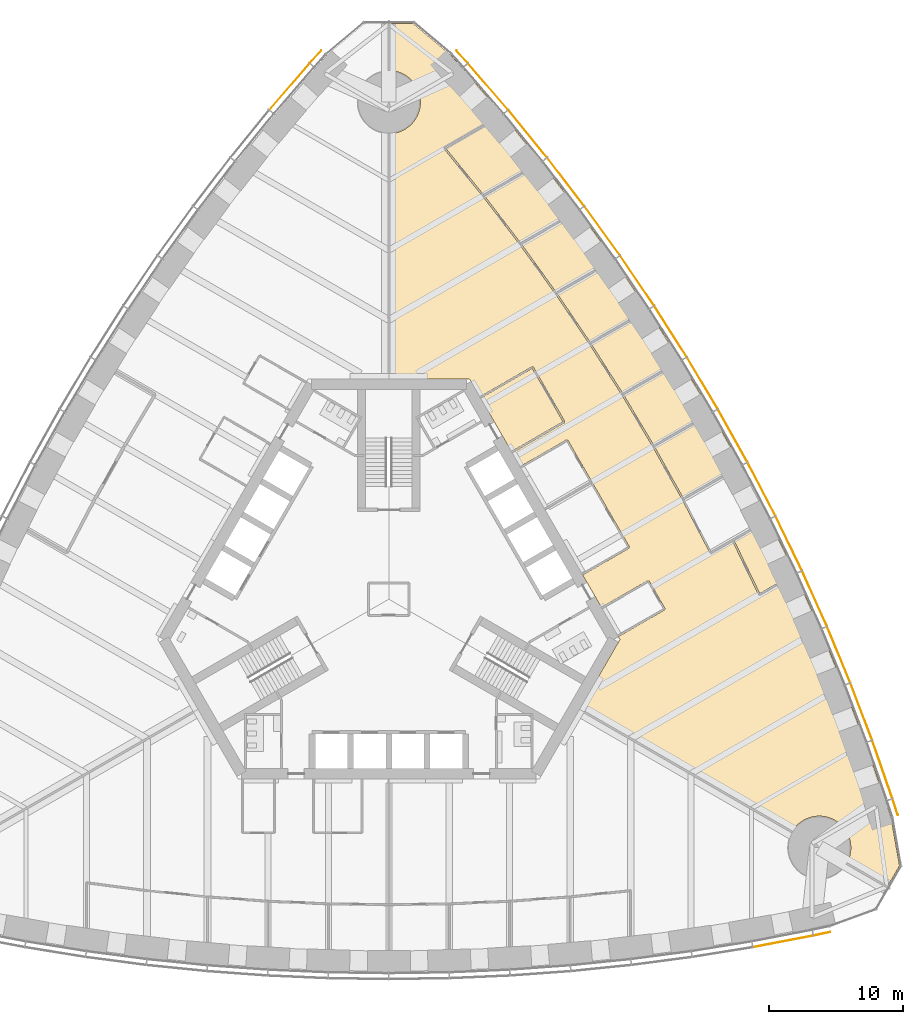
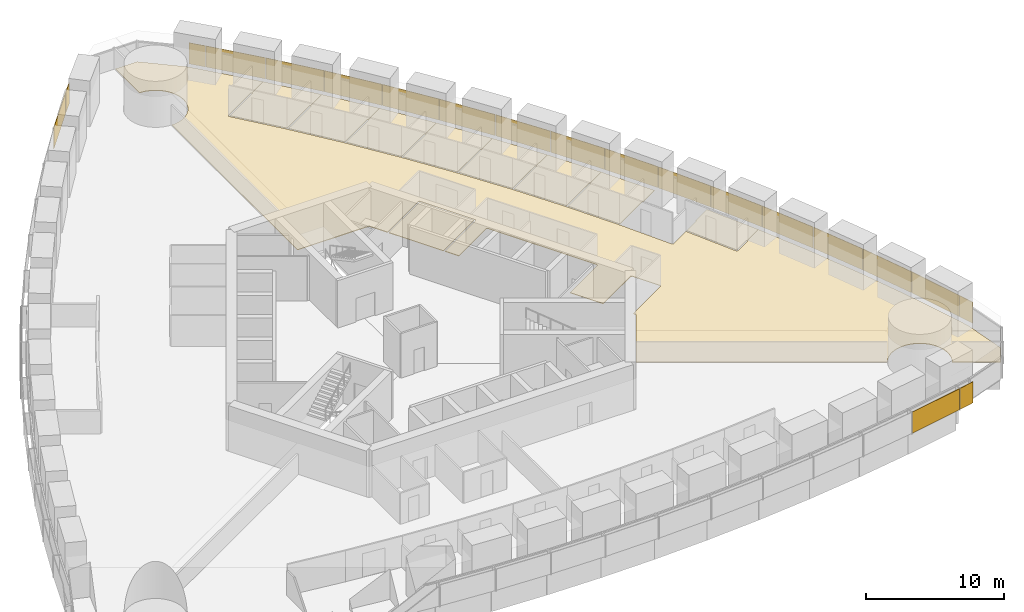
# One storey, part 16 of 18: 20 shading devices, 10 coverings.
"""IFC4 building model written with IfcOpenShell, lengths in metres."""

from ifc_helpers import new_model, si_unit, direction, frame, origin, origin_2d, place, context, subcontext, project, spatial, polyline, rectangle, outline, extrude, material, layer, layer_set, type_object, element, save


model = new_model("IFC4")

# Units and contexts
model_context = context("Model", 3, precision=1e-05, world=origin(), true_north=direction((0.0, 1.0)))
body_context = subcontext(model_context, "Body", "Model", "MODEL_VIEW")
ifc_project = project(units=[si_unit("LENGTHUNIT", "METRE"), si_unit("AREAUNIT", "SQUARE_METRE"), si_unit("VOLUMEUNIT", "CUBIC_METRE"), si_unit("PLANEANGLEUNIT", "RADIAN"), si_unit("MASSUNIT", "GRAM", prefix="KILO")], contexts=[model_context])

# Site, building, storey
site_placement = place(None, origin())
site = spatial("IfcSite", under=ifc_project, at=site_placement, CompositionType="ELEMENT")
building_placement = place(site_placement, origin())
building = spatial("IfcBuilding", under=site, at=building_placement, Name="Trefoil Bronze Tower", CompositionType="ELEMENT")
storey_placement = place(building_placement, frame((0.0, 0.0, 87.89990234375)))
storey = spatial("IfcBuildingStorey", under=building, at=storey_placement, Name="L20", CompositionType="ELEMENT", Elevation=87.89990234375)

# Shading devices
ifc_material_1 = material(Name="Perforated bronze sheet", Category="bronze")
ifc_layer_1 = layer(ifc_material_1, 0.0400390625)
ifc_layer_set_1 = layer_set([ifc_layer_1], Name="Bronze solar screen panel")
shading_device_type = type_object("IfcShadingDeviceType", Name="Bronze solar screen panel", PredefinedType="SHUTTER", material=ifc_layer_set_1)
shading_device_1_placement = place(storey_placement, frame((29.351806640625, -25.478515625, 0.050048828125), z_axis=(0.0, 0.0, 1.0), x_axis=(0.982049823817, 0.188621694249, 0.0)))
element("IfcShadingDevice", 1, at=shading_device_1_placement, inside=storey, type_object=shading_device_type, Name="Solar screen CW-A L20 F1 bay 15", PredefinedType="SHUTTER", context=body_context, shape_type="SweptSolid", body=[
    extrude(rectangle(XDim=4.55224609375, YDim=0.0400390625, at=origin_2d()), origin(), (0.0, 0.0, 1.0), 1.8701171875),
])
for number, where, z_axis, x_axis, name in (
    (2, (32.2431640625, -24.91064453125, 0.050048828125), (0.0, 0.0, 1.0), (0.978302717041, 0.207180582657, 0.0), "Solar screen CW-A L20 F1 bay 16"),
    (3, (37.69482421875, -15.468017578125, 0.050048828125), (0.0, 0.0, 1.0), (-0.309727710769, 0.950825296877, 0.0), "Solar screen CW-A L20 F2 bay 1"),
):
    element("IfcShadingDevice", number, at=place(storey_placement, frame(where, z_axis=z_axis, x_axis=x_axis)), inside=storey, type_object=shading_device_type, Name=name, PredefinedType="SHUTTER", context=body_context, shape_type="SweptSolid", body=[
        extrude(rectangle(XDim=1.260498046875, YDim=0.0400390625, at=origin_2d()), origin(), (0.0, 0.0, 1.0), 1.8701171875),
    ])
shading_device_2_placement = place(storey_placement, frame((36.740966796875, -12.68017578125, 0.050048828125), z_axis=(0.0, 0.0, 1.0), x_axis=(-0.327673732984, 0.944790942332, 0.0)))
element("IfcShadingDevice", 4, at=shading_device_2_placement, inside=storey, type_object=shading_device_type, Name="Solar screen CW-A L20 F2 bay 2", PredefinedType="SHUTTER", context=body_context, shape_type="SweptSolid", body=[
    extrude(rectangle(XDim=4.55224609375, YDim=0.0400390625, at=origin_2d()), origin(), (0.0, 0.0, 1.0), 1.8701171875),
])
shading_device_3_placement = place(storey_placement, frame((35.1748046875, -8.3701171875, 0.050048828125), z_axis=(0.0, 0.0, 1.0), x_axis=(-0.355370585687, 0.934725492767, 0.0)))
element("IfcShadingDevice", 5, at=shading_device_3_placement, inside=storey, type_object=shading_device_type, Name="Solar screen CW-A L20 F2 bay 3", PredefinedType="SHUTTER", context=body_context, shape_type="SweptSolid", body=[
    extrude(rectangle(XDim=4.5283203125, YDim=0.0400390625, at=origin_2d()), origin(), (0.0, 0.0, 1.0), 1.8701171875),
])
shading_device_4_placement = place(storey_placement, frame((33.49072265625, -4.128173828125, 0.050048828125), z_axis=(0.0, 0.0, 1.0), x_axis=(-0.382629580712, 0.923901836758, 0.0)))
element("IfcShadingDevice", 6, at=shading_device_4_placement, inside=storey, type_object=shading_device_type, Name="Solar screen CW-A L20 F2 bay 4", PredefinedType="SHUTTER", context=body_context, shape_type="SweptSolid", body=[
    extrude(rectangle(XDim=4.5087890625, YDim=0.0400390625, at=origin_2d()), origin(), (0.0, 0.0, 1.0), 1.8701171875),
])
shading_device_5_placement = place(storey_placement, frame((31.68994140625, 0.04638671875, 0.050048828125), z_axis=(0.0, 0.0, 1.0), x_axis=(-0.40945635808, 0.912329705111, 0.0)))
element("IfcShadingDevice", 7, at=shading_device_5_placement, inside=storey, type_object=shading_device_type, Name="Solar screen CW-A L20 F2 bay 5", PredefinedType="SHUTTER", context=body_context, shape_type="SweptSolid", body=[
    extrude(rectangle(XDim=4.493408203125, YDim=0.0400390625, at=origin_2d()), origin(), (0.0, 0.0, 1.0), 1.8701171875),
])
shading_device_6_placement = place(storey_placement, frame((29.77392578125, 4.154541015625, 0.050048828125), z_axis=(0.0, 0.0, 1.0), x_axis=(-0.4358553457, 0.900016731858, 0.0)))
element("IfcShadingDevice", 8, at=shading_device_6_placement, inside=storey, type_object=shading_device_type, Name="Solar screen CW-A L20 F2 bay 6", PredefinedType="SHUTTER", context=body_context, shape_type="SweptSolid", body=[
    extrude(rectangle(XDim=4.48193359375, YDim=0.0400390625, at=origin_2d()), origin(), (0.0, 0.0, 1.0), 1.8701171875),
])
shading_device_7_placement = place(storey_placement, frame((27.74365234375, 8.1962890625, 0.050048828125), z_axis=(0.0, 0.0, 1.0), x_axis=(-0.46182981834, 0.886968555752, 0.0)))
element("IfcShadingDevice", 9, at=shading_device_7_placement, inside=storey, type_object=shading_device_type, Name="Solar screen CW-A L20 F2 bay 7", PredefinedType="SHUTTER", context=body_context, shape_type="SweptSolid", body=[
    extrude(rectangle(XDim=4.474365234375, YDim=0.0400390625, at=origin_2d()), origin(), (0.0, 0.0, 1.0), 1.8701171875),
])
for number, where, z_axis, x_axis, name in (
    (10, (25.599365234375, 12.172607421875, 0.050048828125), (0.0, 0.0, 1.0), (-0.487381940453, 0.873188893722, 0.0), "Solar screen CW-A L20 F2 bay 8"),
    (11, (23.341552734375, 16.083251953125, 0.050048828125), (0.0, 0.0, 1.0), (-0.51251279404, 0.858679588639, 0.0), "Solar screen CW-A L20 F2 bay 9"),
):
    element("IfcShadingDevice", number, at=place(storey_placement, frame(where, z_axis=z_axis, x_axis=x_axis)), inside=storey, type_object=shading_device_type, Name=name, PredefinedType="SHUTTER", context=body_context, shape_type="SweptSolid", body=[
        extrude(rectangle(XDim=4.470458984375, YDim=0.0400390625, at=origin_2d()), origin(), (0.0, 0.0, 1.0), 1.8701171875),
    ])
shading_device_8_placement = place(storey_placement, frame((20.97021484375, 19.928466796875, 0.050048828125), z_axis=(0.0, 0.0, 1.0), x_axis=(-0.537222392469, 0.843440632783, 0.0)))
element("IfcShadingDevice", 12, at=shading_device_8_placement, inside=storey, type_object=shading_device_type, Name="Solar screen CW-A L20 F2 bay 10", PredefinedType="SHUTTER", context=body_context, shape_type="SweptSolid", body=[
    extrude(rectangle(XDim=4.474365234375, YDim=0.0400390625, at=origin_2d()), origin(), (0.0, 0.0, 1.0), 1.8701171875),
])
shading_device_9_placement = place(storey_placement, frame((18.48486328125, 23.707763671875, 0.050048828125), z_axis=(0.0, 0.0, 1.0), x_axis=(-0.56150968077, 0.827470167681, 0.0)))
element("IfcShadingDevice", 13, at=shading_device_9_placement, inside=storey, type_object=shading_device_type, Name="Solar screen CW-A L20 F2 bay 11", PredefinedType="SHUTTER", context=body_context, shape_type="SweptSolid", body=[
    extrude(rectangle(XDim=4.48193359375, YDim=0.0400390625, at=origin_2d()), origin(), (0.0, 0.0, 1.0), 1.8701171875),
])
shading_device_10_placement = place(storey_placement, frame((15.88525390625, 27.421142578125, 0.050048828125), z_axis=(0.0, 0.0, 1.0), x_axis=(-0.585372522213, 0.810764460394, 0.0)))
element("IfcShadingDevice", 14, at=shading_device_10_placement, inside=storey, type_object=shading_device_type, Name="Solar screen CW-A L20 F2 bay 12", PredefinedType="SHUTTER", context=body_context, shape_type="SweptSolid", body=[
    extrude(rectangle(XDim=4.493408203125, YDim=0.0400390625, at=origin_2d()), origin(), (0.0, 0.0, 1.0), 1.8701171875),
])
shading_device_11_placement = place(storey_placement, frame((13.170166015625, 31.06787109375, 0.050048828125), z_axis=(0.0, 0.0, 1.0), x_axis=(-0.608807670879, 0.793317855515, 0.0)))
element("IfcShadingDevice", 15, at=shading_device_11_placement, inside=storey, type_object=shading_device_type, Name="Solar screen CW-A L20 F2 bay 13", PredefinedType="SHUTTER", context=body_context, shape_type="SweptSolid", body=[
    extrude(rectangle(XDim=4.5087890625, YDim=0.0400390625, at=origin_2d()), origin(), (0.0, 0.0, 1.0), 1.8701171875),
])
shading_device_12_placement = place(storey_placement, frame((10.338623046875, 34.6474609375, 0.050048828125), z_axis=(0.0, 0.0, 1.0), x_axis=(-0.631810729457, 0.775122701346, 0.0)))
element("IfcShadingDevice", 16, at=shading_device_12_placement, inside=storey, type_object=shading_device_type, Name="Solar screen CW-A L20 F2 bay 14", PredefinedType="SHUTTER", context=body_context, shape_type="SweptSolid", body=[
    extrude(rectangle(XDim=4.5283203125, YDim=0.0400390625, at=origin_2d()), origin(), (0.0, 0.0, 1.0), 1.8701171875),
])
shading_device_13_placement = place(storey_placement, frame((7.38916015625, 38.15869140625, 0.050048828125), z_axis=(0.0, 0.0, 1.0), x_axis=(-0.654376090833, 0.756169248083, 0.0)))
element("IfcShadingDevice", 17, at=shading_device_13_placement, inside=storey, type_object=shading_device_type, Name="Solar screen CW-A L20 F2 bay 15", PredefinedType="SHUTTER", context=body_context, shape_type="SweptSolid", body=[
    extrude(rectangle(XDim=4.55224609375, YDim=0.0400390625, at=origin_2d()), origin(), (0.0, 0.0, 1.0), 1.8701171875),
])
for number, where, z_axis, x_axis, name in (
    (18, (5.45166015625, 40.378662109375, 0.050048828125), (0.0, 0.0, 1.0), (-0.668575006272, 0.743644714221, 0.0), "Solar screen CW-A L20 F2 bay 16"),
    (19, (-5.45166015625, 40.378662109375, 0.050048828125), (0.0, 0.0, 1.0), (-0.668575006272, -0.743644714221, 0.0), "Solar screen CW-A L20 F3 bay 1"),
):
    element("IfcShadingDevice", number, at=place(storey_placement, frame(where, z_axis=z_axis, x_axis=x_axis)), inside=storey, type_object=shading_device_type, Name=name, PredefinedType="SHUTTER", context=body_context, shape_type="SweptSolid", body=[
        extrude(rectangle(XDim=1.260498046875, YDim=0.0400390625, at=origin_2d()), origin(), (0.0, 0.0, 1.0), 1.8701171875),
    ])
shading_device_14_placement = place(storey_placement, frame((-7.38916015625, 38.15869140625, 0.050048828125), z_axis=(0.0, 0.0, 1.0), x_axis=(-0.654376090833, -0.756169248083, 0.0)))
element("IfcShadingDevice", 20, at=shading_device_14_placement, inside=storey, type_object=shading_device_type, Name="Solar screen CW-A L20 F3 bay 2", PredefinedType="SHUTTER", context=body_context, shape_type="SweptSolid", body=[
    extrude(rectangle(XDim=4.55224609375, YDim=0.0400390625, at=origin_2d()), origin(), (0.0, 0.0, 1.0), 1.8701171875),
])

# Coverings
ifc_material_2 = material(Name="Raised access floor panels", Category="steel")
ifc_layer_2 = layer(ifc_material_2, 0.050048828125)
ifc_layer_set_2 = layer_set([ifc_layer_2], Name="Raised access floor 150")
covering_type = type_object("IfcCoveringType", Name="Raised access floor 150", PredefinedType="FLOORING", material=ifc_layer_set_2)
covering_1_placement = place(storey_placement, frame((0.0, 0.0, 0.10009765625)))
element("IfcCovering", 21, at=covering_1_placement, inside=storey, type_object=covering_type, Name="Raised floor L20 Reception F2", PredefinedType="FLOORING", context=body_context, shape_type="SweptSolid", body=[
    extrude(outline(polyline([(6.834716796875, 14.9619140625), (10.679931640625, 17.181884765625), (12.969970703125, 13.215576171875), (9.124755859375, 10.99560546875), (6.834716796875, 14.9619140625)])), origin(), (0.0, 0.0, 1.0), 0.050048828125),
])
covering_2_placement = place(storey_placement, frame((0.0, 0.0, 0.10009765625)))
element("IfcCovering", 22, at=covering_2_placement, inside=storey, type_object=covering_type, Name="Raised floor L20 Office F2", PredefinedType="FLOORING", context=body_context, shape_type="SweptSolid", body=[
    extrude(outline(polyline([(11.360107421875, 32.53955078125), (9.93359375, 31.7158203125), (9.903564453125, 31.767822265625), (7.044189453125, 30.116943359375), (4.240966796875, 33.55615234375), (7.07666015625, 35.193359375), (7.046630859375, 35.245361328125), (8.47998046875, 36.072998046875), (11.360107421875, 32.53955078125)])), origin(), (0.0, 0.0, 1.0), 0.050048828125),
])
covering_3_placement = place(storey_placement, frame((0.0, 0.0, 0.10009765625)))
element("IfcCovering", 23, at=covering_3_placement, inside=storey, type_object=covering_type, Name="Raised floor L20 Office F2", PredefinedType="FLOORING", context=body_context, shape_type="SweptSolid", body=[
    extrude(outline(polyline([(11.360107421875, 32.53955078125), (14.123291015625, 28.938720703125), (12.7021484375, 28.1181640625), (12.672119140625, 28.170166015625), (9.808837890625, 26.51708984375), (7.119140625, 30.021728515625), (9.96337890625, 31.663818359375), (9.93359375, 31.7158203125), (11.360107421875, 32.53955078125)])), origin(), (0.0, 0.0, 1.0), 0.050048828125),
])
covering_4_placement = place(storey_placement, frame((0.0, 0.0, 0.10009765625)))
element("IfcCovering", 24, at=covering_4_placement, inside=storey, type_object=covering_type, Name="Raised floor L20 Office F2", PredefinedType="FLOORING", context=body_context, shape_type="SweptSolid", body=[
    extrude(outline(polyline([(16.771240234375, 25.271484375), (15.354248046875, 24.453369140625), (15.32421875, 24.505126953125), (12.4580078125, 22.850341796875), (9.880859375, 26.419921875), (12.732177734375, 28.06640625), (12.7021484375, 28.1181640625), (14.123291015625, 28.938720703125), (16.771240234375, 25.271484375)])), origin(), (0.0, 0.0, 1.0), 0.050048828125),
])
covering_5_placement = place(storey_placement, frame((0.0, 0.0, 0.10009765625)))
element("IfcCovering", 25, at=covering_5_placement, inside=storey, type_object=covering_type, Name="Raised floor L20 Office F2", PredefinedType="FLOORING", context=body_context, shape_type="SweptSolid", body=[
    extrude(outline(polyline([(16.771240234375, 25.271484375), (19.3046875, 21.537841796875), (17.890869140625, 20.721435546875), (17.86083984375, 20.7734375), (14.992919921875, 19.117919921875), (12.527099609375, 22.751708984375), (15.38427734375, 24.4013671875), (15.354248046875, 24.453369140625), (16.771240234375, 25.271484375)])), origin(), (0.0, 0.0, 1.0), 0.050048828125),
])
covering_6_placement = place(storey_placement, frame((0.0, 0.0, 0.10009765625)))
element("IfcCovering", 26, at=covering_6_placement, inside=storey, type_object=covering_type, Name="Raised floor L20 Office F2", PredefinedType="FLOORING", context=body_context, shape_type="SweptSolid", body=[
    extrude(outline(polyline([(21.724609375, 17.73876953125), (20.312255859375, 16.923583984375), (20.2822265625, 16.975341796875), (17.414306640625, 15.319580078125), (15.058837890625, 19.017333984375), (17.9208984375, 20.669677734375), (17.890869140625, 20.721435546875), (19.3046875, 21.537841796875), (21.724609375, 17.73876953125)])), origin(), (0.0, 0.0, 1.0), 0.050048828125),
])
covering_7_placement = place(storey_placement, frame((0.0, 0.0, 0.10009765625)))
element("IfcCovering", 27, at=covering_7_placement, inside=storey, type_object=covering_type, Name="Raised floor L20 Office F2", PredefinedType="FLOORING", context=body_context, shape_type="SweptSolid", body=[
    extrude(outline(polyline([(21.724609375, 17.73876953125), (24.031005859375, 13.87451171875), (22.619384765625, 13.059326171875), (22.589599609375, 13.111328125), (19.72216796875, 11.455810546875), (17.47705078125, 15.21728515625), (20.34228515625, 16.87158203125), (20.312255859375, 16.923583984375), (21.724609375, 17.73876953125)])), origin(), (0.0, 0.0, 1.0), 0.050048828125),
])
covering_8_placement = place(storey_placement, frame((0.0, 0.0, 0.10009765625)))
element("IfcCovering", 28, at=covering_8_placement, inside=storey, type_object=covering_type, Name="Raised floor L20 Office F2", PredefinedType="FLOORING", context=body_context, shape_type="SweptSolid", body=[
    extrude(outline(polyline([(24.031005859375, 13.87451171875), (26.224609375, 9.944580078125), (24.812255859375, 9.12939453125), (24.7822265625, 9.18115234375), (21.9169921875, 7.527099609375), (19.7822265625, 11.35205078125), (22.6494140625, 13.00732421875), (22.619384765625, 13.059326171875), (24.031005859375, 13.87451171875)])), origin(), (0.0, 0.0, 1.0), 0.050048828125),
])
covering_9_placement = place(storey_placement, frame((0.0, 0.0, 0.10009765625)))
element("IfcCovering", 29, at=covering_9_placement, inside=storey, type_object=covering_type, Name="Raised floor L20 Comms room F2", PredefinedType="FLOORING", context=body_context, shape_type="SweptSolid", body=[
    extrude(outline(polyline([(28.3046875, 5.949462890625), (30.271240234375, 1.888671875), (28.854248046875, 1.070556640625), (28.82421875, 1.12255859375), (27.612548828125, 0.4228515625), (25.698486328125, 4.37548828125), (26.9208984375, 5.0810546875), (26.890869140625, 5.133056640625), (28.3046875, 5.949462890625)])), origin(), (0.0, 0.0, 1.0), 0.050048828125),
])
covering_10_placement = place(storey_placement, frame((0.0, 0.0, 0.10009765625)))
element("IfcCovering", 30, at=covering_10_placement, inside=storey, type_object=covering_type, Name="Raised floor L20 Open-plan office F2", PredefinedType="FLOORING", context=body_context, shape_type="SweptSolid", body=[
    extrude(outline(polyline([(8.47998046875, 36.072998046875), (7.046630859375, 35.245361328125), (7.0166015625, 35.29736328125), (4.119873046875, 33.624755859375), (4.14990234375, 33.572998046875), (4.103515625, 33.534912109375), (6.98291015625, 30.002197265625), (9.7451171875, 26.40283203125), (12.39208984375, 22.73681640625), (14.924560546875, 19.0048828125), (17.34326171875, 15.207275390625), (19.64892578125, 11.344482421875), (21.841552734375, 7.416015625), (23.92138671875, 3.421630859375), (23.974609375, 3.449462890625), (24.004638671875, 3.3974609375), (25.59423828125, 4.315185546875), (27.53271484375, 0.3125), (27.586669921875, 0.338623046875), (27.61669921875, 0.28662109375), (28.88427734375, 1.0185546875), (28.854248046875, 1.070556640625), (30.271240234375, 1.888671875), (32.123291015625, -2.23828125), (33.860107421875, -6.431640625), (35.47998046875, -10.6923828125), (36.9814453125, -15.021728515625), (37.381103515625, -16.248779296875), (38.0146484375, -19.841552734375), (37.110595703125, -21.4072265625), (34.084716796875, -19.661865234375), (34.115478515625, -19.60791015625), (34.167236328125, -19.5048828125), (34.214111328125, -19.3994140625), (34.255615234375, -19.291748046875), (34.291748046875, -19.18212890625), (34.322509765625, -19.071044921875), (34.347900390625, -18.95849609375), (34.367431640625, -18.8447265625), (34.381591796875, -18.730224609375), (34.39013671875, -18.615234375), (34.392822265625, -18.5), (34.39013671875, -18.384765625), (34.381591796875, -18.269775390625), (34.367431640625, -18.1552734375), (34.347900390625, -18.04150390625), (34.322509765625, -17.928955078125), (34.291748046875, -17.81787109375), (34.255615234375, -17.708251953125), (34.214111328125, -17.6005859375), (34.167236328125, -17.4951171875), (34.115478515625, -17.39208984375), (34.05859375, -17.2919921875), (33.996826171875, -17.1943359375), (33.930419921875, -17.10009765625), (33.859619140625, -17.00927734375), (33.7841796875, -16.921875), (33.70458984375, -16.83837890625), (33.62109375, -16.7587890625), (33.53369140625, -16.683349609375), (33.44287109375, -16.612548828125), (33.348388671875, -16.5458984375), (33.251220703125, -16.484375), (33.150634765625, -16.427490234375), (33.047607421875, -16.37548828125), (32.942138671875, -16.328857421875), (32.834716796875, -16.287353515625), (32.72509765625, -16.251220703125), (32.614013671875, -16.220458984375), (32.50146484375, -16.1953125), (32.3876953125, -16.17529296875), (32.273193359375, -16.161376953125), (32.158203125, -16.15283203125), (32.04296875, -16.14990234375), (31.927490234375, -16.15283203125), (31.8125, -16.161376953125), (31.697998046875, -16.17529296875), (31.58447265625, -16.1953125), (31.471923828125, -16.220458984375), (31.36083984375, -16.251220703125), (31.251220703125, -16.287353515625), (31.1435546875, -16.328857421875), (31.0380859375, -16.37548828125), (30.935302734375, -16.427490234375), (30.834716796875, -16.484375), (30.7373046875, -16.5458984375), (30.64306640625, -16.612548828125), (30.552001953125, -16.683349609375), (30.46484375, -16.7587890625), (30.381103515625, -16.83837890625), (30.3017578125, -16.921875), (30.226318359375, -17.00927734375), (30.155517578125, -17.10009765625), (30.089111328125, -17.1943359375), (30.02734375, -17.2919921875), (30.0146484375, -17.31396484375), (14.205810546875, -8.194580078125), (17.205078125, -3.0), (17.084716796875, -2.79150390625), (20.548828125, -0.79150390625), (20.518798828125, -0.73974609375), (20.57080078125, -0.709716796875), (19.370849609375, 1.368896484375), (19.31884765625, 1.3388671875), (19.288818359375, 1.390625), (15.82470703125, -0.609375), (14.434814453125, 1.79833984375), (17.898681640625, 3.79833984375), (17.868896484375, 3.850341796875), (17.9208984375, 3.88037109375), (13.32080078125, 11.84765625), (13.268798828125, 11.817626953125), (13.23876953125, 11.86962890625), (9.774658203125, 9.86962890625), (9.184814453125, 10.8916015625), (13.081787109375, 13.1416015625), (13.052001953125, 13.193603515625), (13.103759765625, 13.223388671875), (10.75390625, 17.293701171875), (10.701904296875, 17.263916015625), (10.671875, 17.31591796875), (6.774658203125, 15.06591796875), (6.00439453125, 16.39990234375), (0.006103515625, 16.39990234375), (0.012939453125, 34.650390625), (0.115234375, 34.65283203125), (0.230224609375, 34.661376953125), (0.3447265625, 34.67529296875), (0.45849609375, 34.6953125), (0.571044921875, 34.720458984375), (0.68212890625, 34.751220703125), (0.791748046875, 34.787353515625), (0.8994140625, 34.828857421875), (1.0048828125, 34.87548828125), (1.10791015625, 34.927490234375), (1.2080078125, 34.984375), (1.3056640625, 35.0458984375), (1.39990234375, 35.112548828125), (1.49072265625, 35.183349609375), (1.578125, 35.2587890625), (1.66162109375, 35.33837890625), (1.7412109375, 35.421875), (1.816650390625, 35.50927734375), (1.887451171875, 35.60009765625), (1.9541015625, 35.6943359375), (2.015625, 35.7919921875), (2.072509765625, 35.89208984375), (2.12451171875, 35.9951171875), (2.171142578125, 36.1005859375), (2.212646484375, 36.208251953125), (2.248779296875, 36.31787109375), (2.279541015625, 36.428955078125), (2.3046875, 36.54150390625), (2.32470703125, 36.6552734375), (2.338623046875, 36.769775390625), (2.34716796875, 36.884765625), (2.35009765625, 37.0), (2.34716796875, 37.115234375), (2.338623046875, 37.230224609375), (2.32470703125, 37.3447265625), (2.3046875, 37.45849609375), (2.279541015625, 37.571044921875), (2.248779296875, 37.68212890625), (2.212646484375, 37.791748046875), (2.171142578125, 37.8994140625), (2.12451171875, 38.0048828125), (2.072509765625, 38.10791015625), (2.015625, 38.2080078125), (1.9541015625, 38.3056640625), (1.887451171875, 38.39990234375), (1.816650390625, 38.49072265625), (1.7412109375, 38.578125), (1.66162109375, 38.66162109375), (1.578125, 38.7412109375), (1.49072265625, 38.816650390625), (1.39990234375, 38.887451171875), (1.3056640625, 38.9541015625), (1.2080078125, 39.015625), (1.10791015625, 39.072509765625), (1.0048828125, 39.12451171875), (0.8994140625, 39.171142578125), (0.791748046875, 39.212646484375), (0.68212890625, 39.248779296875), (0.571044921875, 39.279541015625), (0.45849609375, 39.3046875), (0.3447265625, 39.32470703125), (0.230224609375, 39.338623046875), (0.115234375, 39.34716796875), (0.014892578125, 39.349609375), (0.01611328125, 42.84228515625), (1.82421875, 42.84228515625), (4.618896484375, 40.497314453125), (5.4814453125, 39.537841796875), (8.47998046875, 36.072998046875)])), origin(), (0.0, 0.0, 1.0), 0.050048828125),
])

save(model, "model.ifc")
